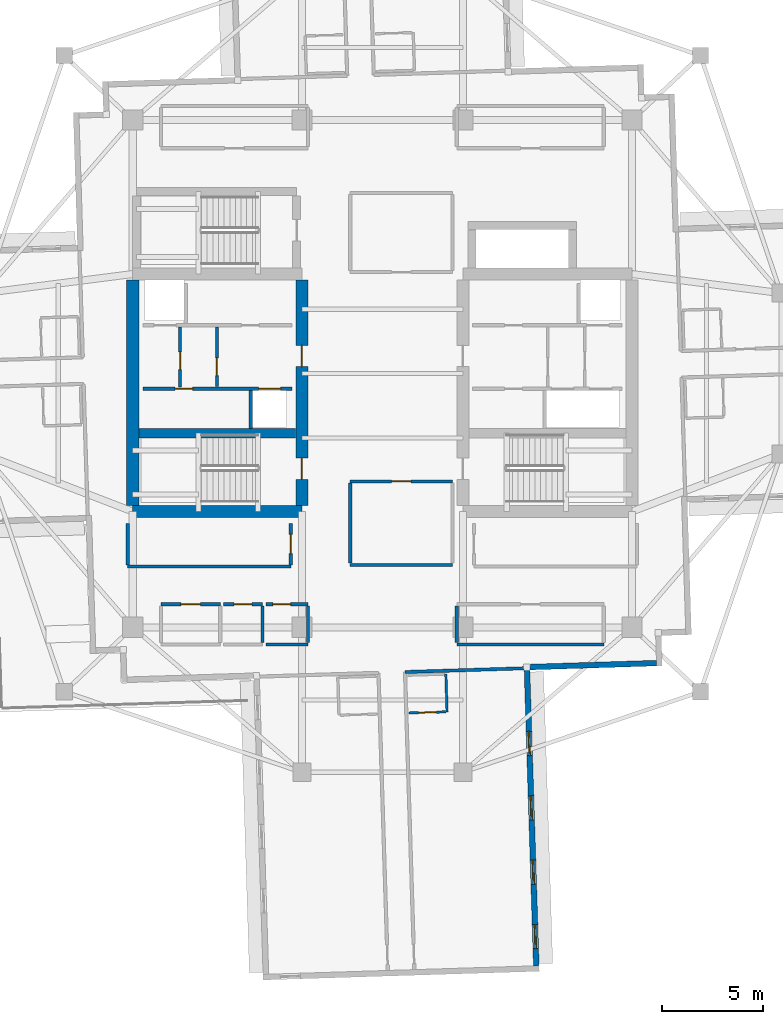
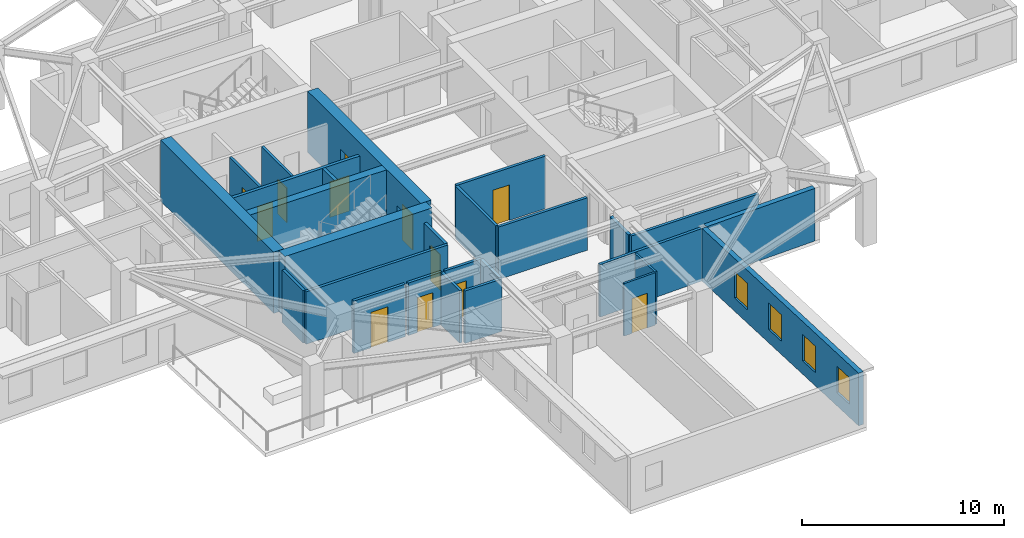
# One storey, part 4 of 12: 27 walls, 12 doors, 4 windows, 16 openings.
"""IFC4 building model written with IfcOpenShell, lengths in metres."""

from ifc_helpers import new_model, si_unit, direction, frame, frame_2d, origin, place, context, subcontext, project, spatial, rectangle, extrude, material, layer, layer_set, type_object, element, fill, save


model = new_model("IFC4")

# Units and contexts
model_context = context("Model", 3, precision=1e-05, world=origin(), true_north=direction((0.0, 1.0)))
body_context = subcontext(model_context, "Body", "Model", "MODEL_VIEW")
ifc_project = project(units=[si_unit("LENGTHUNIT", "METRE"), si_unit("AREAUNIT", "SQUARE_METRE"), si_unit("VOLUMEUNIT", "CUBIC_METRE"), si_unit("PLANEANGLEUNIT", "RADIAN"), si_unit("MASSUNIT", "GRAM", prefix="KILO")], contexts=[model_context])

# Site, building, storey
site_placement = place(None, origin())
site = spatial("IfcSite", under=ifc_project, at=site_placement, CompositionType="ELEMENT")
building_placement = place(site_placement, origin())
building = spatial("IfcBuilding", under=site, at=building_placement, Name="Qingluan Cross Belvedere", CompositionType="ELEMENT")
storey_placement = place(building_placement, frame((0.0, 0.0, 216.89990234375)))
storey = spatial("IfcBuildingStorey", under=building, at=storey_placement, Name="L54", CompositionType="ELEMENT", Elevation=216.89990234375)

# Walls
ifc_material_1 = material(Name="Concrete C50", Category="concrete")
ifc_layer_1 = layer(ifc_material_1, 0.449951171875, Name="CoreShearWall_450")
ifc_layer_set_1 = layer_set([ifc_layer_1], Name="Concrete C50")
wall_type_1 = type_object("IfcWallType", Name="CoreShearWall_450", PredefinedType="SHEAR", material=ifc_layer_set_1)
wall_1_placement = place(storey_placement, frame((-12.094970703125, -2.9599609375, 0.0), z_axis=(0.0, 0.0, 1.0), x_axis=(1.0, 0.0, 0.0)))
element("IfcWall", 1, at=wall_1_placement, inside=storey, type_object=wall_type_1, Name="Split core W shear wall L54-M", PredefinedType="SHEAR", context=body_context, shape_type="SweptSolid", body=[
    extrude(rectangle(XDim=7.7900390625, YDim=0.449951171875, at=frame_2d((3.89501953125, 0.0))), origin(), (0.0, 0.0, 1.0), 3.7001953125),
])
ifc_material_2 = material(Name="Concrete C60", Category="concrete")
ifc_layer_2 = layer(ifc_material_2, 0.60009765625, Name="CoreShearWall_600")
ifc_layer_set_2 = layer_set([ifc_layer_2], Name="Concrete C60")
wall_type_2 = type_object("IfcWallType", Name="CoreShearWall_600", PredefinedType="SHEAR", material=ifc_layer_set_2)
wall_2_placement = place(storey_placement, frame((-12.39990234375, -6.85009765625, 0.0), z_axis=(0.0, 0.0, 1.0), x_axis=(1.0, 0.0, 0.0)))
element("IfcWall", 2, at=wall_2_placement, inside=storey, type_object=wall_type_2, Name="Split core W shear wall L54-S", PredefinedType="SHEAR", context=body_context, shape_type="SweptSolid", body=[
    extrude(rectangle(XDim=8.39990234375, YDim=0.60009765625, at=frame_2d((4.199951171875, 0.0))), origin(), (0.0, 0.0, 1.0), 3.7001953125),
])
wall_3_placement = place(storey_placement, frame((-12.39990234375, -6.544921875, 0.0), z_axis=(0.0, 0.0, 1.0), x_axis=(0.0, 1.0, 0.0)))
element("IfcWall", 3, at=wall_3_placement, inside=storey, type_object=wall_type_2, Name="Split core W shear wall L54-W", PredefinedType="SHEAR", context=body_context, shape_type="SweptSolid", body=[
    extrude(rectangle(XDim=11.18994140625, YDim=0.60009765625, at=frame_2d((5.594970703125, 0.0))), origin(), (0.0, 0.0, 1.0), 3.7001953125),
])

# Wall, openings, doors
wall_4_placement = place(storey_placement, frame((-4.0, -6.544921875, 0.0), z_axis=(0.0, 0.0, 1.0), x_axis=(0.0, 1.0, 0.0)))
wall_4 = element("IfcWall", 4, at=wall_4_placement, inside=storey, type_object=wall_type_2, Name="Split core W shear wall L54-E", PredefinedType="SHEAR", context=body_context, shape_type="SweptSolid", body=[
    extrude(rectangle(XDim=11.18994140625, YDim=0.60009765625, at=frame_2d((5.594970703125, 0.0))), origin(), (0.0, 0.0, 1.0), 3.7001953125),
])
opening_1_placement = place(wall_4_placement, frame((1.294921875, 0.0, 0.0)))
opening_1 = element("IfcOpeningElement", 5, at=opening_1_placement, cuts=wall_4, Name="Opening FD-B11", PredefinedType="OPENING", context=body_context, shape_type="SweptSolid", body=[
    extrude(rectangle(XDim=1.050048828125, YDim=2.14990234375, at=frame_2d((0.52490234375, 1.074951171875))), frame((0.0, 0.31005859375, 0.0), z_axis=(0.0, -1.0, 0.0), x_axis=(1.0, 0.0, 0.0)), (0.0, 0.0, 1.0), 0.6201171875),
])
opening_2_placement = place(wall_4_placement, frame((6.89501953125, 0.0, 0.0)))
opening_2 = element("IfcOpeningElement", 6, at=opening_2_placement, cuts=wall_4, Name="Opening FD-B11", PredefinedType="OPENING", context=body_context, shape_type="SweptSolid", body=[
    extrude(rectangle(XDim=1.050048828125, YDim=2.14990234375, at=frame_2d((0.52490234375, 1.074951171875))), frame((0.0, 0.31005859375, 0.0), z_axis=(0.0, -1.0, 0.0), x_axis=(1.0, 0.0, 0.0)), (0.0, 0.0, 1.0), 0.6201171875),
])
ifc_material_3 = material(Name="Steel Class B smoke-seal fire door", Category="steel")
door_type_1 = type_object("IfcDoorType", Name="StairLobbyFireDoor_FDB", OperationType="NOTDEFINED", PredefinedType="DOOR", material=ifc_material_3)
door_1_placement = place(opening_1_placement, origin())
door_1 = element("IfcDoor", 7, at=door_1_placement, inside=storey, type_object=door_type_1, Name="Smoke-proof stair ST1 fire door L54", OperationType="SINGLE_SWING_RIGHT", OverallHeight=2.14990234375, OverallWidth=1.050048828125, PredefinedType="DOOR", context=body_context, shape_type="SweptSolid", body=[
    extrude(rectangle(XDim=1.050048828125, YDim=2.14990234375, at=frame_2d((0.52490234375, 1.074951171875))), frame((0.0, 0.02490234375, 0.0), z_axis=(0.0, -1.0, 0.0), x_axis=(1.0, 0.0, 0.0)), (0.0, 0.0, 1.0), 0.050048828125),
])
fill(opening_1, door_1)
door_2_placement = place(opening_2_placement, origin())
door_2 = element("IfcDoor", 8, at=door_2_placement, inside=storey, type_object=door_type_1, Name="Firefighting lobby West fire door L54", OperationType="SINGLE_SWING_RIGHT", OverallHeight=2.14990234375, OverallWidth=1.050048828125, PredefinedType="DOOR", context=body_context, shape_type="SweptSolid", body=[
    extrude(rectangle(XDim=1.050048828125, YDim=2.14990234375, at=frame_2d((0.52490234375, 1.074951171875))), frame((0.0, 0.02490234375, 0.0), z_axis=(0.0, -1.0, 0.0), x_axis=(1.0, 0.0, 0.0)), (0.0, 0.0, 1.0), 0.050048828125),
])
fill(opening_2, door_2)

# Wall, opening, door
ifc_material_4 = material(Name="Gypsum plasterboard on steel stud acoustic partition", Category="steel")
ifc_layer_3 = layer(ifc_material_4, 0.159912109375, Name="CorridorPartition_160")
ifc_layer_set_3 = layer_set([ifc_layer_3], Name="Gypsum plasterboard on steel stud acoustic partition")
wall_type_3 = type_object("IfcWallType", Name="CorridorPartition_160", PredefinedType="PARTITIONING", material=ifc_layer_set_3)
wall_5_placement = place(storey_placement, frame((-10.050048828125, -0.652099609375, 0.0), z_axis=(0.0, 0.0, 1.0), x_axis=(0.0, 1.0, 0.0)))
wall_5 = element("IfcWall", 9, at=wall_5_placement, inside=storey, type_object=wall_type_3, Name="Partition L54:wv", PredefinedType="PARTITIONING", context=body_context, shape_type="SweptSolid", body=[
    extrude(rectangle(XDim=2.962158203125, YDim=0.139892578125, at=frame_2d((1.48095703125, 0.0))), origin(), (0.0, 0.0, 1.0), 3.170166015625),
])
opening_3_placement = place(wall_5_placement, frame((0.85009765625, 0.0, 0.0)))
opening_3 = element("IfcOpeningElement", 10, at=opening_3_placement, cuts=wall_5, Name="Opening FD-B10", PredefinedType="OPENING", context=body_context, shape_type="SweptSolid", body=[
    extrude(rectangle(XDim=0.8798828125, YDim=2.10009765625, at=frame_2d((0.43994140625, 1.050048828125))), frame((0.0, 0.079833984375, 0.0), z_axis=(0.0, -1.0, 0.0), x_axis=(1.0, 0.0, 0.0)), (0.0, 0.0, 1.0), 0.159912109375),
])
ifc_material_5 = material(Name="Steel Class B service fire door", Category="steel")
door_type_2 = type_object("IfcDoorType", Name="RiserServiceFireDoor_FDB", OperationType="NOTDEFINED", PredefinedType="DOOR", material=ifc_material_5)
door_3_placement = place(opening_3_placement, origin())
door_3 = element("IfcDoor", 11, at=door_3_placement, inside=storey, type_object=door_type_2, Name="Service closet inner door L54", OperationType="SINGLE_SWING_LEFT", OverallHeight=2.10009765625, OverallWidth=0.8798828125, PredefinedType="DOOR", context=body_context, shape_type="SweptSolid", body=[
    extrude(rectangle(XDim=0.8798828125, YDim=2.10009765625, at=frame_2d((0.43994140625, 1.050048828125))), frame((0.0, 0.02490234375, 0.0), z_axis=(0.0, -1.0, 0.0), x_axis=(1.0, 0.0, 0.0)), (0.0, 0.0, 1.0), 0.050048828125),
])
fill(opening_3, door_3)

# Walls
wall_6_placement = place(storey_placement, frame((3.699951171875, -13.449951171875, 0.0), z_axis=(0.0, 0.0, 1.0), x_axis=(1.0, 0.0, 0.0)))
element("IfcWall", 12, at=wall_6_placement, inside=storey, type_object=wall_type_3, Name="Partition L54:q_se:S", PredefinedType="PARTITIONING", context=body_context, shape_type="SweptSolid", body=[
    extrude(rectangle(XDim=7.300048828125, YDim=0.159912109375, at=frame_2d((3.64990234375, 0.0))), origin(), (0.0, 0.0, 1.0), 3.170166015625),
])
wall_7_placement = place(storey_placement, frame((3.699951171875, -13.364990234375, 0.0), z_axis=(0.0, 0.0, 1.0), x_axis=(0.0, 1.0, 0.0)))
element("IfcWall", 13, at=wall_7_placement, inside=storey, type_object=wall_type_3, Name="Partition L54:q_se:W", PredefinedType="PARTITIONING", context=body_context, shape_type="SweptSolid", body=[
    extrude(rectangle(XDim=1.830078125, YDim=0.159912109375, at=frame_2d((0.9150390625, 0.0))), origin(), (0.0, 0.0, 1.0), 3.170166015625),
])

# Wall, opening, door
wall_8_placement = place(storey_placement, frame((-11.0, -11.449951171875, 0.0), z_axis=(0.0, 0.0, 1.0), x_axis=(1.0, 0.0, 0.0)))
wall_8 = element("IfcWall", 14, at=wall_8_placement, inside=storey, type_object=wall_type_3, Name="Partition L54:q_sw_occ:N", PredefinedType="PARTITIONING", context=body_context, shape_type="SweptSolid", body=[
    extrude(rectangle(XDim=2.949951171875, YDim=0.159912109375, at=frame_2d((1.47509765625, 0.0))), origin(), (0.0, 0.0, 1.0), 3.170166015625),
])
opening_4_placement = place(wall_8_placement, frame((0.9951171875, 0.0, 0.0)))
opening_4 = element("IfcOpeningElement", 15, at=opening_4_placement, cuts=wall_8, Name="Opening GD-10", PredefinedType="OPENING", context=body_context, shape_type="SweptSolid", body=[
    extrude(rectangle(XDim=0.9599609375, YDim=2.14990234375, at=frame_2d((0.47998046875, 1.074951171875))), frame((0.0, 0.08984375, 0.0), z_axis=(0.0, -1.0, 0.0), x_axis=(1.0, 0.0, 0.0)), (0.0, 0.0, 1.0), 0.179931640625),
])
ifc_material_6 = material(Name="Timber oak fire-rated acoustic guestroom door", Category="wood")
door_type_3 = type_object("IfcDoorType", Name="GuestEntryDoor_FD60", OperationType="NOTDEFINED", PredefinedType="DOOR", material=ifc_material_6)
door_4_placement = place(opening_4_placement, origin())
door_4 = element("IfcDoor", 16, at=door_4_placement, inside=storey, type_object=door_type_3, Name="Executive briefing room L54 door", OperationType="SINGLE_SWING_LEFT", OverallHeight=2.14990234375, OverallWidth=0.9599609375, PredefinedType="DOOR", context=body_context, shape_type="SweptSolid", body=[
    extrude(rectangle(XDim=0.9599609375, YDim=2.14990234375, at=frame_2d((0.47998046875, 1.074951171875))), frame((0.0, 0.02490234375, 0.0), z_axis=(0.0, -1.0, 0.0), x_axis=(1.0, 0.0, 0.0)), (0.0, 0.0, 1.0), 0.050048828125),
])
fill(opening_4, door_4)

wall_9_placement = place(storey_placement, frame((-7.889892578125, -11.449951171875, 0.0), z_axis=(0.0, 0.0, 1.0), x_axis=(1.0, 0.0, 0.0)))
wall_9 = element("IfcWall", 17, at=wall_9_placement, inside=storey, type_object=wall_type_3, Name="Partition L54:hk_linen:N", PredefinedType="PARTITIONING", context=body_context, shape_type="SweptSolid", body=[
    extrude(rectangle(XDim=1.93994140625, YDim=0.159912109375, at=frame_2d((0.969970703125, 0.0))), origin(), (0.0, 0.0, 1.0), 3.170166015625),
])
opening_5_placement = place(wall_9_placement, frame((0.530029296875, 0.0, 0.0)))
opening_5 = element("IfcOpeningElement", 18, at=opening_5_placement, cuts=wall_9, Name="Opening FD-B10", PredefinedType="OPENING", context=body_context, shape_type="SweptSolid", body=[
    extrude(rectangle(XDim=0.8798828125, YDim=2.10009765625, at=frame_2d((0.43994140625, 1.050048828125))), frame((0.0, 0.08984375, 0.0), z_axis=(0.0, -1.0, 0.0), x_axis=(1.0, 0.0, 0.0)), (0.0, 0.0, 1.0), 0.179931640625),
])
door_5_placement = place(opening_5_placement, origin())
door_5 = element("IfcDoor", 19, at=door_5_placement, inside=storey, type_object=door_type_2, Name="Housekeeping and linen store L54 door", OperationType="SINGLE_SWING_RIGHT", OverallHeight=2.10009765625, OverallWidth=0.8798828125, PredefinedType="DOOR", context=body_context, shape_type="SweptSolid", body=[
    extrude(rectangle(XDim=0.8798828125, YDim=2.10009765625, at=frame_2d((0.43994140625, 1.050048828125))), frame((0.0, 0.02490234375, 0.0), z_axis=(0.0, -1.0, 0.0), x_axis=(1.0, 0.0, 0.0)), (0.0, 0.0, 1.0), 0.050048828125),
])
fill(opening_5, door_5)

# Walls
wall_10_placement = place(storey_placement, frame((-5.949951171875, -13.364990234375, 0.0), z_axis=(0.0, 0.0, 1.0), x_axis=(0.0, 1.0, 0.0)))
element("IfcWall", 20, at=wall_10_placement, inside=storey, type_object=wall_type_3, Name="Partition L54:hk_linen:E", PredefinedType="PARTITIONING", context=body_context, shape_type="SweptSolid", body=[
    extrude(rectangle(XDim=1.830078125, YDim=0.159912109375, at=frame_2d((0.9150390625, 0.0))), origin(), (0.0, 0.0, 1.0), 3.170166015625),
])
wall_11_placement = place(storey_placement, frame((-5.7900390625, -13.449951171875, 0.0), z_axis=(0.0, 0.0, 1.0), x_axis=(1.0, 0.0, 0.0)))
element("IfcWall", 21, at=wall_11_placement, inside=storey, type_object=wall_type_3, Name="Partition L54:floor_acc_wc:S", PredefinedType="PARTITIONING", context=body_context, shape_type="SweptSolid", body=[
    extrude(rectangle(XDim=2.090087890625, YDim=0.159912109375, at=frame_2d((1.044921875, 0.0))), origin(), (0.0, 0.0, 1.0), 3.170166015625),
])

# Wall, opening, door
wall_12_placement = place(storey_placement, frame((-5.7900390625, -11.449951171875, 0.0), z_axis=(0.0, 0.0, 1.0), x_axis=(1.0, 0.0, 0.0)))
wall_12 = element("IfcWall", 22, at=wall_12_placement, inside=storey, type_object=wall_type_3, Name="Partition L54:floor_acc_wc:N", PredefinedType="PARTITIONING", context=body_context, shape_type="SweptSolid", body=[
    extrude(rectangle(XDim=2.090087890625, YDim=0.159912109375, at=frame_2d((1.044921875, 0.0))), origin(), (0.0, 0.0, 1.0), 3.170166015625),
])
opening_6_placement = place(wall_12_placement, frame((0.35009765625, 0.0, 0.0)))
opening_6 = element("IfcOpeningElement", 23, at=opening_6_placement, cuts=wall_12, Name="Opening BD-08", PredefinedType="OPENING", context=body_context, shape_type="SweptSolid", body=[
    extrude(rectangle(XDim=0.8798828125, YDim=2.14990234375, at=frame_2d((0.43994140625, 1.074951171875))), frame((0.0, 0.08984375, 0.0), z_axis=(0.0, -1.0, 0.0), x_axis=(1.0, 0.0, 0.0)), (0.0, 0.0, 1.0), 0.179931640625),
])
ifc_material_7 = material(Name="Moisture-sealed timber accessible WC door", Category="wood")
door_type_4 = type_object("IfcDoorType", Name="AccessibleWCDoor_880", OperationType="NOTDEFINED", PredefinedType="DOOR", material=ifc_material_7)
door_6_placement = place(opening_6_placement, origin())
door_6 = element("IfcDoor", 24, at=door_6_placement, inside=storey, type_object=door_type_4, Name="Accessible guest washroom L54 door", OperationType="SINGLE_SWING_LEFT", OverallHeight=2.14990234375, OverallWidth=0.8798828125, PredefinedType="DOOR", context=body_context, shape_type="SweptSolid", body=[
    extrude(rectangle(XDim=0.8798828125, YDim=2.14990234375, at=frame_2d((0.43994140625, 1.074951171875))), frame((0.0, 0.02490234375, 0.0), z_axis=(0.0, -1.0, 0.0), x_axis=(1.0, 0.0, 0.0)), (0.0, 0.0, 1.0), 0.050048828125),
])
fill(opening_6, door_6)

# Walls
wall_13_placement = place(storey_placement, frame((-3.699951171875, -13.364990234375, 0.0), z_axis=(0.0, 0.0, 1.0), x_axis=(0.0, 1.0, 0.0)))
element("IfcWall", 25, at=wall_13_placement, inside=storey, type_object=wall_type_3, Name="Partition L54:floor_acc_wc:E", PredefinedType="PARTITIONING", context=body_context, shape_type="SweptSolid", body=[
    extrude(rectangle(XDim=1.830078125, YDim=0.159912109375, at=frame_2d((0.9150390625, 0.0))), origin(), (0.0, 0.0, 1.0), 3.170166015625),
])
wall_14_placement = place(storey_placement, frame((-1.60009765625, -9.5, 0.0), z_axis=(0.0, 0.0, 1.0), x_axis=(1.0, 0.0, 0.0)))
element("IfcWall", 26, at=wall_14_placement, inside=storey, type_object=wall_type_3, Name="Partition L54:sky_south_alcove:S", PredefinedType="PARTITIONING", context=body_context, shape_type="SweptSolid", body=[
    extrude(rectangle(XDim=5.080078125, YDim=0.159912109375, at=frame_2d((2.5400390625, 0.0))), origin(), (0.0, 0.0, 1.0), 3.170166015625),
])

# Wall, opening, door
wall_15_placement = place(storey_placement, frame((-1.60009765625, -5.35009765625, 0.0), z_axis=(0.0, 0.0, 1.0), x_axis=(1.0, 0.0, 0.0)))
wall_15 = element("IfcWall", 27, at=wall_15_placement, inside=storey, type_object=wall_type_3, Name="Partition L54:sky_south_alcove:N", PredefinedType="PARTITIONING", context=body_context, shape_type="SweptSolid", body=[
    extrude(rectangle(XDim=5.080078125, YDim=0.159912109375, at=frame_2d((2.5400390625, 0.0))), origin(), (0.0, 0.0, 1.0), 3.170166015625),
])
opening_7_placement = place(wall_15_placement, frame((2.06005859375, 0.0, 0.0)))
opening_7 = element("IfcOpeningElement", 28, at=opening_7_placement, cuts=wall_15, Name="Opening GD-10", PredefinedType="OPENING", context=body_context, shape_type="SweptSolid", body=[
    extrude(rectangle(XDim=0.9599609375, YDim=2.14990234375, at=frame_2d((0.47998046875, 1.074951171875))), frame((0.0, 0.08984375, 0.0), z_axis=(0.0, -1.0, 0.0), x_axis=(1.0, 0.0, 0.0)), (0.0, 0.0, 1.0), 0.179931640625),
])
door_7_placement = place(opening_7_placement, origin())
door_7 = element("IfcDoor", 29, at=door_7_placement, inside=storey, type_object=door_type_3, Name="South horizon reading alcove L54 door", OperationType="SINGLE_SWING_LEFT", OverallHeight=2.14990234375, OverallWidth=0.9599609375, PredefinedType="DOOR", context=body_context, shape_type="SweptSolid", body=[
    extrude(rectangle(XDim=0.9599609375, YDim=2.14990234375, at=frame_2d((0.47998046875, 1.074951171875))), frame((0.0, 0.02490234375, 0.0), z_axis=(0.0, -1.0, 0.0), x_axis=(1.0, 0.0, 0.0)), (0.0, 0.0, 1.0), 0.050048828125),
])
fill(opening_7, door_7)

# Walls
wall_16_placement = place(storey_placement, frame((-1.60009765625, -9.4150390625, 0.0), z_axis=(0.0, 0.0, 1.0), x_axis=(0.0, 1.0, 0.0)))
element("IfcWall", 30, at=wall_16_placement, inside=storey, type_object=wall_type_3, Name="Partition L54:sky_south_alcove:W", PredefinedType="PARTITIONING", context=body_context, shape_type="SweptSolid", body=[
    extrude(rectangle(XDim=3.97998046875, YDim=0.159912109375, at=frame_2d((1.989990234375, 0.0))), origin(), (0.0, 0.0, 1.0), 3.170166015625),
])
wall_17_placement = place(storey_placement, frame((-12.64990234375, -9.580078125, 0.0), z_axis=(0.0, 0.0, 1.0), x_axis=(1.0, 0.0, 0.0)))
element("IfcWall", 31, at=wall_17_placement, inside=storey, type_object=wall_type_3, Name="Partition L54:rec_st4_w:S", PredefinedType="PARTITIONING", context=body_context, shape_type="SweptSolid", body=[
    extrude(rectangle(XDim=8.099853515625, YDim=0.159912109375, at=frame_2d((4.0498046875, 0.0))), origin(), (0.0, 0.0, 1.0), 3.170166015625),
])
wall_18_placement = place(storey_placement, frame((-12.64990234375, -9.4951171875, 0.0), z_axis=(0.0, 0.0, 1.0), x_axis=(0.0, 1.0, 0.0)))
element("IfcWall", 32, at=wall_18_placement, inside=storey, type_object=wall_type_3, Name="Partition L54:rec_st4_w:W", PredefinedType="PARTITIONING", context=body_context, shape_type="SweptSolid", body=[
    extrude(rectangle(XDim=2.06005859375, YDim=0.159912109375, at=frame_2d((1.030029296875, 0.0))), origin(), (0.0, 0.0, 1.0), 3.170166015625),
])

# Wall, opening, door
wall_19_placement = place(storey_placement, frame((-4.550048828125, -9.4951171875, 0.0), z_axis=(0.0, 0.0, 1.0), x_axis=(0.0, 1.0, 0.0)))
wall_19 = element("IfcWall", 33, at=wall_19_placement, inside=storey, type_object=wall_type_3, Name="Partition L54:rec_st4_w:E", PredefinedType="PARTITIONING", context=body_context, shape_type="SweptSolid", body=[
    extrude(rectangle(XDim=2.06005859375, YDim=0.159912109375, at=frame_2d((1.030029296875, 0.0))), origin(), (0.0, 0.0, 1.0), 3.170166015625),
])
opening_8_placement = place(wall_19_placement, frame((0.550048828125, 0.0, 0.0)))
opening_8 = element("IfcOpeningElement", 34, at=opening_8_placement, cuts=wall_19, Name="Opening GD-10", PredefinedType="OPENING", context=body_context, shape_type="SweptSolid", body=[
    extrude(rectangle(XDim=0.9599609375, YDim=2.14990234375, at=frame_2d((0.47998046875, 1.074951171875))), frame((0.0, 0.08984375, 0.0), z_axis=(0.0, -1.0, 0.0), x_axis=(1.0, 0.0, 0.0)), (0.0, 0.0, 1.0), 0.179931640625),
])
door_8_placement = place(opening_8_placement, origin())
door_8 = element("IfcDoor", 35, at=door_8_placement, inside=storey, type_object=door_type_3, Name="Southwest club reading room L54 door", OperationType="SINGLE_SWING_LEFT", OverallHeight=2.14990234375, OverallWidth=0.9599609375, PredefinedType="DOOR", context=body_context, shape_type="SweptSolid", body=[
    extrude(rectangle(XDim=0.9599609375, YDim=2.14990234375, at=frame_2d((0.47998046875, 1.074951171875))), frame((0.0, 0.02490234375, 0.0), z_axis=(0.0, -1.0, 0.0), x_axis=(1.0, 0.0, 0.0)), (0.0, 0.0, 1.0), 0.050048828125),
])
fill(opening_8, door_8)

# Wall
wall_20_placement = place(storey_placement, frame((1.126220703125, -14.822021484375, 0.0), z_axis=(0.0, 0.0, 1.0), x_axis=(0.999506122926, 0.031424675557, 0.0)))
element("IfcWall", 36, at=wall_20_placement, inside=storey, type_object=wall_type_3, Name="Partition L54:S:s0", PredefinedType="PARTITIONING", context=body_context, shape_type="SweptSolid", body=[
    extrude(rectangle(XDim=6.059814453125, YDim=0.159912109375, at=frame_2d((3.02978515625, 0.0))), origin(), (0.0, 0.0, 1.0), 3.170166015625),
])

# Wall, opening, door
ifc_material_8 = material(Name="Moisture-resistant gypsum board lining")
ifc_layer_4 = layer(ifc_material_8, 0.1201171875, Name="EnsuiteWetPartition_120")
ifc_layer_set_4 = layer_set([ifc_layer_4], Name="Moisture-resistant gypsum board lining")
wall_type_4 = type_object("IfcWallType", Name="EnsuiteWetPartition_120", PredefinedType="PARTITIONING", material=ifc_layer_set_4)
wall_21_placement = place(storey_placement, frame((1.330078125, -16.8564453125, 0.0), z_axis=(0.0, 0.0, 1.0), x_axis=(0.999507221803, 0.031389704724, 0.0)))
wall_21 = element("IfcWall", 37, at=wall_21_placement, inside=storey, type_object=wall_type_4, Name="Partition L54:S:bs0_0", PredefinedType="PARTITIONING", context=body_context, shape_type="SweptSolid", body=[
    extrude(rectangle(XDim=1.820068359375, YDim=0.1201171875, at=frame_2d((0.91015625, 0.0))), origin(), (0.0, 0.0, 1.0), 3.170166015625),
])
opening_9_placement = place(wall_21_placement, frame((0.469970703125, 0.0, 0.0)))
opening_9 = element("IfcOpeningElement", 38, at=opening_9_placement, cuts=wall_21, Name="Opening BD-09", PredefinedType="OPENING", context=body_context, shape_type="SweptSolid", body=[
    extrude(rectangle(XDim=0.8798828125, YDim=2.10009765625, at=frame_2d((0.43994140625, 1.050048828125))), frame((0.0, 0.070068359375, 0.0), z_axis=(0.0, -1.0, 0.0), x_axis=(1.0, 0.0, 0.0)), (0.0, 0.0, 1.0), 0.14013671875),
])
ifc_material_9 = material(Name="Moisture-sealed timber en-suite door", Category="wood")
door_type_5 = type_object("IfcDoorType", Name="BathroomDoor_880", OperationType="NOTDEFINED", PredefinedType="DOOR", material=ifc_material_9)
door_9_placement = place(opening_9_placement, origin())
door_9 = element("IfcDoor", 39, at=door_9_placement, inside=storey, type_object=door_type_5, Name="Bathroom door 5413", OperationType="SINGLE_SWING_LEFT", OverallHeight=2.10009765625, OverallWidth=0.8798828125, PredefinedType="DOOR", context=body_context, shape_type="SweptSolid", body=[
    extrude(rectangle(XDim=0.8798828125, YDim=2.10009765625, at=frame_2d((0.43994140625, 1.050048828125))), frame((0.0, 0.02490234375, 0.0), z_axis=(0.0, -1.0, 0.0), x_axis=(1.0, 0.0, 0.0)), (0.0, 0.0, 1.0), 0.050048828125),
])
fill(opening_9, door_9)

# Wall
wall_22_placement = place(storey_placement, frame((3.1552734375, -14.918212890625, 0.0), z_axis=(0.0, 0.0, 1.0), x_axis=(0.031295563454, -0.999510173889, 0.0)))
element("IfcWall", 40, at=wall_22_placement, inside=storey, type_object=wall_type_4, Name="Partition L54:S:bn0_0", PredefinedType="PARTITIONING", context=body_context, shape_type="SweptSolid", body=[
    extrude(rectangle(XDim=1.880126953125, YDim=0.1201171875, at=frame_2d((0.93994140625, 0.0))), origin(), (0.0, 0.0, 1.0), 3.170166015625),
])

# Wall, openings, windows
ifc_material_10 = material(Name="Precast concrete C45", Category="concrete")
ifc_layer_5 = layer(ifc_material_10, 0.280029296875, Name="PrecastFacadeWall_280")
ifc_layer_set_5 = layer_set([ifc_layer_5], Name="Precast concrete C45")
wall_type_5 = type_object("IfcWallType", Name="PrecastFacadeWall_280", PredefinedType="STANDARD", material=ifc_layer_set_5)
wall_23_placement = place(storey_placement, frame((7.647705078125, -29.414306640625, 0.0), z_axis=(0.0, 0.0, 1.0), x_axis=(-0.031405855522, 0.999506714454, 0.0)))
wall_23 = element("IfcWall", 41, at=wall_23_placement, inside=storey, type_object=wall_type_5, Name="Facade wall L54-SB", PredefinedType="STANDARD", context=body_context, shape_type="SweptSolid", body=[
    extrude(rectangle(XDim=14.7001953125, YDim=0.280029296875, at=frame_2d((7.35009765625, 0.0))), origin(), (0.0, 0.0, 1.0), 3.18017578125),
])
opening_10_placement = place(wall_23_placement, frame((0.85009765625, 0.0, 0.800048828125)))
opening_10 = element("IfcOpeningElement", 42, at=opening_10_placement, cuts=wall_23, Name="Opening W-02", PredefinedType="OPENING", context=body_context, shape_type="SweptSolid", body=[
    extrude(rectangle(XDim=1.199951171875, YDim=1.60009765625, at=frame_2d((0.60009765625, 0.800048828125))), frame((0.0, 0.14990234375, 0.0), z_axis=(0.0, -1.0, 0.0), x_axis=(1.0, 0.0, 0.0)), (0.0, 0.0, 1.0), 0.300048828125),
])
opening_11_placement = place(wall_23_placement, frame((4.050048828125, 0.0, 0.800048828125)))
opening_11 = element("IfcOpeningElement", 43, at=opening_11_placement, cuts=wall_23, Name="Opening W-02", PredefinedType="OPENING", context=body_context, shape_type="SweptSolid", body=[
    extrude(rectangle(XDim=1.199951171875, YDim=1.60009765625, at=frame_2d((0.60009765625, 0.800048828125))), frame((0.0, 0.14990234375, 0.0), z_axis=(0.0, -1.0, 0.0), x_axis=(1.0, 0.0, 0.0)), (0.0, 0.0, 1.0), 0.300048828125),
])
opening_12_placement = place(wall_23_placement, frame((7.25, 0.0, 0.800048828125)))
opening_12 = element("IfcOpeningElement", 44, at=opening_12_placement, cuts=wall_23, Name="Opening W-02", PredefinedType="OPENING", context=body_context, shape_type="SweptSolid", body=[
    extrude(rectangle(XDim=1.199951171875, YDim=1.60009765625, at=frame_2d((0.60009765625, 0.800048828125))), frame((0.0, 0.14990234375, 0.0), z_axis=(0.0, -1.0, 0.0), x_axis=(1.0, 0.0, 0.0)), (0.0, 0.0, 1.0), 0.300048828125),
])
opening_13_placement = place(wall_23_placement, frame((10.449951171875, 0.0, 0.800048828125)))
opening_13 = element("IfcOpeningElement", 45, at=opening_13_placement, cuts=wall_23, Name="Opening W-02", PredefinedType="OPENING", context=body_context, shape_type="SweptSolid", body=[
    extrude(rectangle(XDim=1.199951171875, YDim=1.60009765625, at=frame_2d((0.60009765625, 0.800048828125))), frame((0.0, 0.14990234375, 0.0), z_axis=(0.0, -1.0, 0.0), x_axis=(1.0, 0.0, 0.0)), (0.0, 0.0, 1.0), 0.300048828125),
])
ifc_material_11 = material(Name="Thermally broken triple Low-E glass in aluminium frame", Category="aluminium")
window_type = type_object("IfcWindowType", Name="TriRibbonWin_1200x1600", PartitioningType="SINGLE_PANEL", PredefinedType="WINDOW", material=ifc_material_11)
window_1_placement = place(opening_10_placement, origin())
window_1 = element("IfcWindow", 46, at=window_1_placement, inside=storey, type_object=window_type, Name="Ribbon window L54-SB-1", OverallHeight=1.60009765625, OverallWidth=1.199951171875, PartitioningType="SINGLE_PANEL", PredefinedType="WINDOW", context=body_context, shape_type="SweptSolid", body=[
    extrude(rectangle(XDim=1.199951171875, YDim=1.60009765625, at=frame_2d((0.60009765625, 0.800048828125))), frame((0.0, 0.030029296875, 0.0), z_axis=(0.0, -1.0, 0.0), x_axis=(1.0, 0.0, 0.0)), (0.0, 0.0, 1.0), 0.06005859375),
])
fill(opening_10, window_1)
window_2_placement = place(opening_11_placement, origin())
window_2 = element("IfcWindow", 47, at=window_2_placement, inside=storey, type_object=window_type, Name="Ribbon window L54-SB-2", OverallHeight=1.60009765625, OverallWidth=1.199951171875, PartitioningType="SINGLE_PANEL", PredefinedType="WINDOW", context=body_context, shape_type="SweptSolid", body=[
    extrude(rectangle(XDim=1.199951171875, YDim=1.60009765625, at=frame_2d((0.60009765625, 0.800048828125))), frame((0.0, 0.030029296875, 0.0), z_axis=(0.0, -1.0, 0.0), x_axis=(1.0, 0.0, 0.0)), (0.0, 0.0, 1.0), 0.06005859375),
])
fill(opening_11, window_2)
window_3_placement = place(opening_12_placement, origin())
window_3 = element("IfcWindow", 48, at=window_3_placement, inside=storey, type_object=window_type, Name="Ribbon window L54-SB-3", OverallHeight=1.60009765625, OverallWidth=1.199951171875, PartitioningType="SINGLE_PANEL", PredefinedType="WINDOW", context=body_context, shape_type="SweptSolid", body=[
    extrude(rectangle(XDim=1.199951171875, YDim=1.60009765625, at=frame_2d((0.60009765625, 0.800048828125))), frame((0.0, 0.030029296875, 0.0), z_axis=(0.0, -1.0, 0.0), x_axis=(1.0, 0.0, 0.0)), (0.0, 0.0, 1.0), 0.06005859375),
])
fill(opening_12, window_3)
window_4_placement = place(opening_13_placement, origin())
window_4 = element("IfcWindow", 49, at=window_4_placement, inside=storey, type_object=window_type, Name="Ribbon window L54-SB-4", OverallHeight=1.60009765625, OverallWidth=1.199951171875, PartitioningType="SINGLE_PANEL", PredefinedType="WINDOW", context=body_context, shape_type="SweptSolid", body=[
    extrude(rectangle(XDim=1.199951171875, YDim=1.60009765625, at=frame_2d((0.60009765625, 0.800048828125))), frame((0.0, 0.030029296875, 0.0), z_axis=(0.0, -1.0, 0.0), x_axis=(1.0, 0.0, 0.0)), (0.0, 0.0, 1.0), 0.06005859375),
])
fill(opening_13, window_4)

# Wall
wall_24_placement = place(storey_placement, frame((13.618408203125, -14.37939453125, 0.0), z_axis=(0.0, 0.0, 1.0), x_axis=(-0.999507224741, -0.031389611199, 0.0)))
element("IfcWall", 50, at=wall_24_placement, inside=storey, type_object=wall_type_5, Name="Corner wall L54-SE4", PredefinedType="STANDARD", context=body_context, shape_type="SweptSolid", body=[
    extrude(rectangle(XDim=6.300048828125, YDim=0.280029296875, at=frame_2d((3.14990234375, 0.0))), origin(), (0.0, 0.0, 1.0), 3.18017578125),
])

# Wall, openings, doors
ifc_material_12 = material(Name="Concrete C40", Category="concrete")
ifc_layer_6 = layer(ifc_material_12, 0.219970703125, Name="ShaftEnclosureWall_250")
ifc_layer_set_6 = layer_set([ifc_layer_6], Name="Concrete C40")
wall_type_6 = type_object("IfcWallType", Name="ShaftEnclosureWall_250", PredefinedType="SOLIDWALL", material=ifc_layer_set_6)
wall_25_placement = place(storey_placement, frame((-11.89990234375, -0.75, 0.0), z_axis=(0.0, 0.0, 1.0), x_axis=(1.0, 0.0, 0.0)))
wall_25 = element("IfcWall", 51, at=wall_25_placement, inside=storey, type_object=wall_type_6, Name="Core-W mid hoistway wall L54", PredefinedType="SOLIDWALL", context=body_context, shape_type="SweptSolid", body=[
    extrude(rectangle(XDim=7.419921875, YDim=0.179931640625, at=frame_2d((3.7099609375, 0.0))), origin(), (0.0, 0.0, 1.0), 3.170166015625),
])
opening_14_placement = place(wall_25_placement, frame((5.75, 0.0, 0.0)))
opening_14 = element("IfcOpeningElement", 52, at=opening_14_placement, cuts=wall_25, Name="Opening LD-11", PredefinedType="OPENING", context=body_context, shape_type="SweptSolid", body=[
    extrude(rectangle(XDim=1.10009765625, YDim=2.14990234375, at=frame_2d((0.550048828125, 1.074951171875))), frame((0.0, 0.099853515625, 0.0), z_axis=(0.0, -1.0, 0.0), x_axis=(1.0, 0.0, 0.0)), (0.0, 0.0, 1.0), 0.199951171875),
])
opening_15_placement = place(wall_25_placement, frame((1.60009765625, 0.0, 0.0)))
opening_15 = element("IfcOpeningElement", 53, at=opening_15_placement, cuts=wall_25, Name="Opening FD-B10", PredefinedType="OPENING", context=body_context, shape_type="SweptSolid", body=[
    extrude(rectangle(XDim=0.8798828125, YDim=2.10009765625, at=frame_2d((0.43994140625, 1.050048828125))), frame((0.0, 0.099853515625, 0.0), z_axis=(0.0, -1.0, 0.0), x_axis=(1.0, 0.0, 0.0)), (0.0, 0.0, 1.0), 0.199951171875),
])
ifc_material_13 = material(Name="Brushed stainless steel centre-opening lift landing door", Category="steel")
door_type_6 = type_object("IfcDoorType", Name="LiftLandingSlidingDoor_1100", OperationType="DOUBLE_DOOR_SLIDING", PredefinedType="DOOR", material=ifc_material_13)
door_10_placement = place(opening_14_placement, origin())
door_10 = element("IfcDoor", 54, at=door_10_placement, inside=storey, type_object=door_type_6, Name="Lift landing sliding door LP8 L54", OperationType="DOUBLE_DOOR_SLIDING", OverallHeight=2.14990234375, OverallWidth=1.10009765625, PredefinedType="DOOR", context=body_context, shape_type="SweptSolid", body=[
    extrude(rectangle(XDim=1.10009765625, YDim=2.14990234375, at=frame_2d((0.550048828125, 1.074951171875))), frame((0.0, 0.02490234375, 0.0), z_axis=(0.0, -1.0, 0.0), x_axis=(1.0, 0.0, 0.0)), (0.0, 0.0, 1.0), 0.050048828125),
])
fill(opening_14, door_10)
door_11_placement = place(opening_15_placement, origin())
door_11 = element("IfcDoor", 55, at=door_11_placement, inside=storey, type_object=door_type_2, Name="Upper-zone electrical room door L54", OperationType="SINGLE_SWING_LEFT", OverallHeight=2.10009765625, OverallWidth=0.8798828125, PredefinedType="DOOR", context=body_context, shape_type="SweptSolid", body=[
    extrude(rectangle(XDim=0.8798828125, YDim=2.10009765625, at=frame_2d((0.43994140625, 1.050048828125))), frame((0.0, 0.02490234375, 0.0), z_axis=(0.0, -1.0, 0.0), x_axis=(1.0, 0.0, 0.0)), (0.0, 0.0, 1.0), 0.050048828125),
])
fill(opening_15, door_11)

# Wall
wall_26_placement = place(storey_placement, frame((-6.5400390625, -2.72998046875, 0.0), z_axis=(0.0, 0.0, 1.0), x_axis=(0.0, 1.0, 0.0)))
element("IfcWall", 56, at=wall_26_placement, inside=storey, type_object=wall_type_6, Name="Hoistway enclosure divider LP8W L54", PredefinedType="SOLIDWALL", context=body_context, shape_type="SweptSolid", body=[
    extrude(rectangle(XDim=1.889892578125, YDim=0.179931640625, at=frame_2d((0.94482421875, 0.0))), origin(), (0.0, 0.0, 1.0), 3.170166015625),
])

# Wall, opening, door
wall_27_placement = place(storey_placement, frame((-8.219970703125, -0.64990234375, 0.0), z_axis=(0.0, 0.0, 1.0), x_axis=(0.0, 1.0, 0.0)))
wall_27 = element("IfcWall", 57, at=wall_27_placement, inside=storey, type_object=wall_type_6, Name="Core-W service corridor wall L54", PredefinedType="SOLIDWALL", context=body_context, shape_type="SweptSolid", body=[
    extrude(rectangle(XDim=2.9599609375, YDim=0.139892578125, at=frame_2d((1.47998046875, 0.0))), origin(), (0.0, 0.0, 1.0), 3.170166015625),
])
opening_16_placement = place(wall_27_placement, frame((0.550048828125, 0.0, 0.0)))
opening_16 = element("IfcOpeningElement", 58, at=opening_16_placement, cuts=wall_27, Name="Opening FD-B10", PredefinedType="OPENING", context=body_context, shape_type="SweptSolid", body=[
    extrude(rectangle(XDim=0.8798828125, YDim=2.10009765625, at=frame_2d((0.43994140625, 1.050048828125))), frame((0.0, 0.079833984375, 0.0), z_axis=(0.0, -1.0, 0.0), x_axis=(1.0, 0.0, 0.0)), (0.0, 0.0, 1.0), 0.159912109375),
])
door_12_placement = place(opening_16_placement, origin())
door_12 = element("IfcDoor", 59, at=door_12_placement, inside=storey, type_object=door_type_2, Name="Core-W service room door L54", OperationType="SINGLE_SWING_LEFT", OverallHeight=2.10009765625, OverallWidth=0.8798828125, PredefinedType="DOOR", context=body_context, shape_type="SweptSolid", body=[
    extrude(rectangle(XDim=0.8798828125, YDim=2.10009765625, at=frame_2d((0.43994140625, 1.050048828125))), frame((0.0, 0.02490234375, 0.0), z_axis=(0.0, -1.0, 0.0), x_axis=(1.0, 0.0, 0.0)), (0.0, 0.0, 1.0), 0.050048828125),
])
fill(opening_16, door_12)

save(model, "model.ifc")
